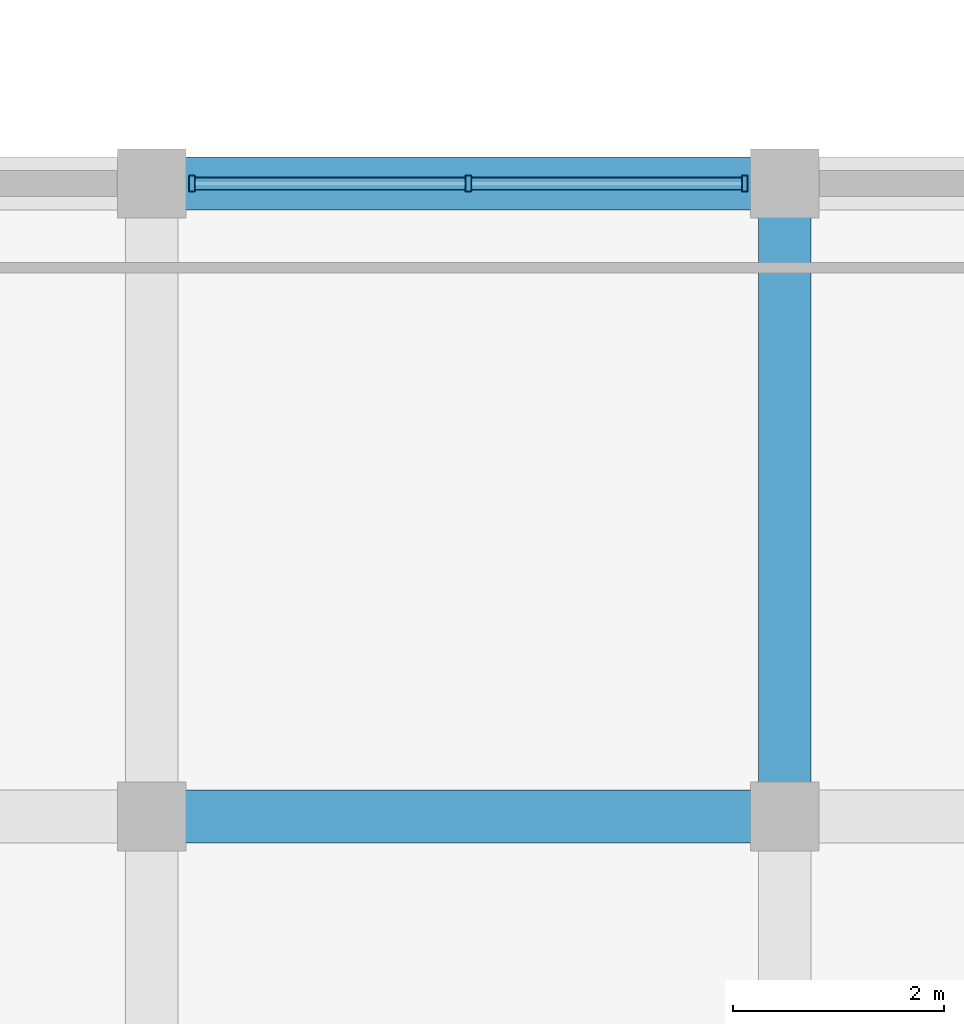
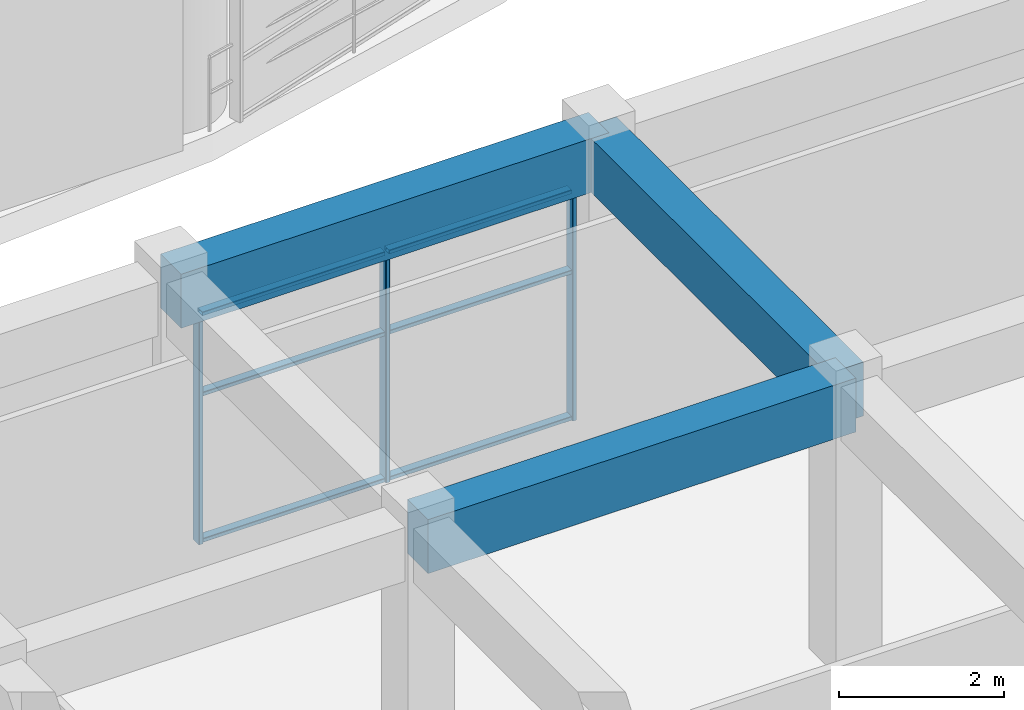
# One storey, part 17 of 52: 9 members, 3 beams, 1 element without a shape of its own.
"""IFC4 building model written with IfcOpenShell, lengths in metres."""

from ifc_helpers import new_model, si_unit, direction, frame, origin, origin_2d, place, context, subcontext, project, spatial, rectangle, hollow_rectangle, extrude, material, layer, layer_set, material_profile, profile_set, type_object, element, aggregate, save


model = new_model("IFC4")

# Units and contexts
model_context = context("Model", 3, precision=1e-05, world=origin(), true_north=direction((0.0, 1.0)))
body_context = subcontext(model_context, "Body", "Model", "MODEL_VIEW")
ifc_project = project(units=[si_unit("LENGTHUNIT", "METRE"), si_unit("AREAUNIT", "SQUARE_METRE"), si_unit("VOLUMEUNIT", "CUBIC_METRE"), si_unit("PLANEANGLEUNIT", "RADIAN"), si_unit("MASSUNIT", "GRAM", prefix="KILO")], contexts=[model_context])

# Site, building, storey
site_placement = place(None, origin())
site = spatial("IfcSite", under=ifc_project, at=site_placement, CompositionType="ELEMENT")
building_placement = place(site_placement, origin())
building = spatial("IfcBuilding", under=site, at=building_placement, Name="Kelanora Arch Commons", CompositionType="ELEMENT")
storey_placement = place(building_placement, frame((0.0, 0.0, 13.5)))
storey = spatial("IfcBuildingStorey", under=building, at=storey_placement, Name="L03", CompositionType="ELEMENT", Elevation=13.5)

# Beams
ifc_material_1 = material(Name="Concrete C40/50", Category="concrete")
ifc_material_profile_1 = material_profile(ifc_material_1, rectangle(XDim=0.5, YDim=0.800048828125, at=origin_2d()), Name="RCB500x800")
ifc_profile_set_1 = profile_set([ifc_material_profile_1], Name="Concrete C40/50")
beam_type = type_object("IfcBeamType", Name="BM-MKT-RC1", PredefinedType="BEAM", material=ifc_profile_set_1)
for number, where, z_axis, x_axis, name in (
    (1, (74.0, 20.0, 3.840087890625), (1.0, 0.0, 0.0), (0.0, 1.0, 0.0), "Market/Basement Frame Beam 126 L03"),
    (2, (74.0, 26.0, 3.840087890625), (1.0, 0.0, 0.0), (0.0, 1.0, 0.0), "Market/Basement Frame Beam 128 L03"),
    (3, (80.0, 20.0, 3.840087890625), (0.0, 1.0, 0.0), (-1.0, 0.0, 0.0), "Market/Basement Frame Beam 134 L03"),
):
    element("IfcBeam", number, at=place(storey_placement, frame(where, z_axis=z_axis, x_axis=x_axis)), inside=storey, type_object=beam_type, Name=name, PredefinedType="BEAM", context=body_context, shape_type="SweptSolid", body=[
        extrude(rectangle(XDim=0.5, YDim=0.800048828125, at=origin_2d()), origin(), (0.0, 0.0, 1.0), 6.0),
    ])

# Curtain wall, members
ifc_material_2 = material(Name="Terracotta ceramic-fritted low-E glass and aluminium", Category="masonry")
ifc_layer = layer(ifc_material_2, 0.16796875)
ifc_layer_set = layer_set([ifc_layer], Name="Terracotta ceramic-fritted low-E glass and aluminium")
curtain_wall_type = type_object("IfcCurtainWallType", Name="CW-SYS-07", PredefinedType="NOTDEFINED", material=ifc_layer_set)
curtain_wall_placement = place(storey_placement, origin())
curtain_wall = element("IfcCurtainWall", 4, at=curtain_wall_placement, inside=storey, type_object=curtain_wall_type, Name="Market Hall Arcade Curtain Wall L03-17", PredefinedType="NOTDEFINED")
ifc_material_3 = material(Name="Powder-coated aluminium terracotta", Category="masonry")
ifc_material_profile_2 = material_profile(ifc_material_3, hollow_rectangle(XDim=0.159912109375, YDim=0.06005859375, WallThickness=0.0048828125, InnerFilletRadius=0.0048828125, OuterFilletRadius=0.010009765625, at=origin_2d()), Name="CWM160x60")
ifc_profile_set_2 = profile_set([ifc_material_profile_2], Name="Powder-coated aluminium terracotta")
member_type_1 = type_object("IfcMemberType", Name="CWM-STD", PredefinedType="MULLION", material=ifc_profile_set_2)
member_1_placement = place(storey_placement, frame((79.6201171875, 26.0, 0.0), z_axis=(0.0, 0.0, 1.0), x_axis=(0.0, -1.0, 0.0)))
member_1 = element("IfcMember", 5, at=member_1_placement, type_object=member_type_1, Name="CW-07 mullion 1", PredefinedType="MULLION", context=body_context, shape_type="SweptSolid", body=[
    extrude(hollow_rectangle(XDim=0.159912109375, YDim=0.06005859375, WallThickness=0.0048828125, InnerFilletRadius=0.0048828125, OuterFilletRadius=0.010009765625, at=origin_2d()), origin(), (0.0, 0.0, 1.0), 3.419921875),
])
member_2_placement = place(storey_placement, frame((77.0, 26.0, 0.0), z_axis=(0.0, 0.0, 1.0), x_axis=(0.0, -1.0, 0.0)))
member_2 = element("IfcMember", 6, at=member_2_placement, type_object=member_type_1, Name="CW-07 mullion 2", PredefinedType="MULLION", context=body_context, shape_type="SweptSolid", body=[
    extrude(hollow_rectangle(XDim=0.159912109375, YDim=0.06005859375, WallThickness=0.0048828125, InnerFilletRadius=0.0048828125, OuterFilletRadius=0.010009765625, at=origin_2d()), origin(), (0.0, 0.0, 1.0), 3.419921875),
])
member_3_placement = place(storey_placement, frame((74.3798828125, 26.0, 0.0), z_axis=(0.0, 0.0, 1.0), x_axis=(0.0, -1.0, 0.0)))
member_3 = element("IfcMember", 7, at=member_3_placement, type_object=member_type_1, Name="CW-07 mullion 3", PredefinedType="MULLION", context=body_context, shape_type="SweptSolid", body=[
    extrude(hollow_rectangle(XDim=0.159912109375, YDim=0.06005859375, WallThickness=0.0048828125, InnerFilletRadius=0.0048828125, OuterFilletRadius=0.010009765625, at=origin_2d()), origin(), (0.0, 0.0, 1.0), 3.419921875),
])
ifc_material_profile_3 = material_profile(ifc_material_3, hollow_rectangle(XDim=0.1201171875, YDim=0.06005859375, WallThickness=0.0048828125, InnerFilletRadius=0.0048828125, OuterFilletRadius=0.010009765625, at=origin_2d()), Name="CWT120x60")
ifc_profile_set_3 = profile_set([ifc_material_profile_3], Name="Powder-coated aluminium terracotta")
member_type_2 = type_object("IfcMemberType", Name="CWT-STD", PredefinedType="USERDEFINED", material=ifc_profile_set_3)
member_4_placement = place(storey_placement, frame((79.590087890625, 26.0, 0.030029296875), z_axis=(-1.0, 0.0, 0.0), x_axis=(0.0, -1.0, 0.0)))
member_4 = element("IfcMember", 8, at=member_4_placement, type_object=member_type_2, Name="CW-07 transom 1.1", ObjectType="TRANSOM", PredefinedType="USERDEFINED", context=body_context, shape_type="SweptSolid", body=[
    extrude(hollow_rectangle(XDim=0.1201171875, YDim=0.06005859375, WallThickness=0.0048828125, InnerFilletRadius=0.0048828125, OuterFilletRadius=0.010009765625, at=origin_2d()), origin(), (0.0, 0.0, 1.0), 2.56005859375),
])
member_5_placement = place(storey_placement, frame((79.590087890625, 26.0, 2.199951171875), z_axis=(-1.0, 0.0, 0.0), x_axis=(0.0, -1.0, 0.0)))
member_5 = element("IfcMember", 9, at=member_5_placement, type_object=member_type_2, Name="CW-07 transom 1.2", ObjectType="TRANSOM", PredefinedType="USERDEFINED", context=body_context, shape_type="SweptSolid", body=[
    extrude(hollow_rectangle(XDim=0.1201171875, YDim=0.06005859375, WallThickness=0.0048828125, InnerFilletRadius=0.0048828125, OuterFilletRadius=0.010009765625, at=origin_2d()), origin(), (0.0, 0.0, 1.0), 2.56005859375),
])
member_6_placement = place(storey_placement, frame((79.590087890625, 26.0, 3.389892578125), z_axis=(-1.0, 0.0, 0.0), x_axis=(0.0, -1.0, 0.0)))
member_6 = element("IfcMember", 10, at=member_6_placement, type_object=member_type_2, Name="CW-07 transom 1.3", ObjectType="TRANSOM", PredefinedType="USERDEFINED", context=body_context, shape_type="SweptSolid", body=[
    extrude(hollow_rectangle(XDim=0.1201171875, YDim=0.06005859375, WallThickness=0.0048828125, InnerFilletRadius=0.0048828125, OuterFilletRadius=0.010009765625, at=origin_2d()), origin(), (0.0, 0.0, 1.0), 2.56005859375),
])
member_7_placement = place(storey_placement, frame((76.969970703125, 26.0, 0.030029296875), z_axis=(-1.0, 0.0, 0.0), x_axis=(0.0, -1.0, 0.0)))
member_7 = element("IfcMember", 11, at=member_7_placement, type_object=member_type_2, Name="CW-07 transom 2.1", ObjectType="TRANSOM", PredefinedType="USERDEFINED", context=body_context, shape_type="SweptSolid", body=[
    extrude(hollow_rectangle(XDim=0.1201171875, YDim=0.06005859375, WallThickness=0.0048828125, InnerFilletRadius=0.0048828125, OuterFilletRadius=0.010009765625, at=origin_2d()), origin(), (0.0, 0.0, 1.0), 2.56005859375),
])
member_8_placement = place(storey_placement, frame((76.969970703125, 26.0, 2.199951171875), z_axis=(-1.0, 0.0, 0.0), x_axis=(0.0, -1.0, 0.0)))
member_8 = element("IfcMember", 12, at=member_8_placement, type_object=member_type_2, Name="CW-07 transom 2.2", ObjectType="TRANSOM", PredefinedType="USERDEFINED", context=body_context, shape_type="SweptSolid", body=[
    extrude(hollow_rectangle(XDim=0.1201171875, YDim=0.06005859375, WallThickness=0.0048828125, InnerFilletRadius=0.0048828125, OuterFilletRadius=0.010009765625, at=origin_2d()), origin(), (0.0, 0.0, 1.0), 2.56005859375),
])
member_9_placement = place(storey_placement, frame((76.969970703125, 26.0, 3.389892578125), z_axis=(-1.0, 0.0, 0.0), x_axis=(0.0, -1.0, 0.0)))
member_9 = element("IfcMember", 13, at=member_9_placement, type_object=member_type_2, Name="CW-07 transom 2.3", ObjectType="TRANSOM", PredefinedType="USERDEFINED", context=body_context, shape_type="SweptSolid", body=[
    extrude(hollow_rectangle(XDim=0.1201171875, YDim=0.06005859375, WallThickness=0.0048828125, InnerFilletRadius=0.0048828125, OuterFilletRadius=0.010009765625, at=origin_2d()), origin(), (0.0, 0.0, 1.0), 2.56005859375),
])
aggregate(curtain_wall, [member_1, member_2, member_3, member_4, member_5, member_6, member_7, member_8, member_9])

save(model, "model.ifc")
